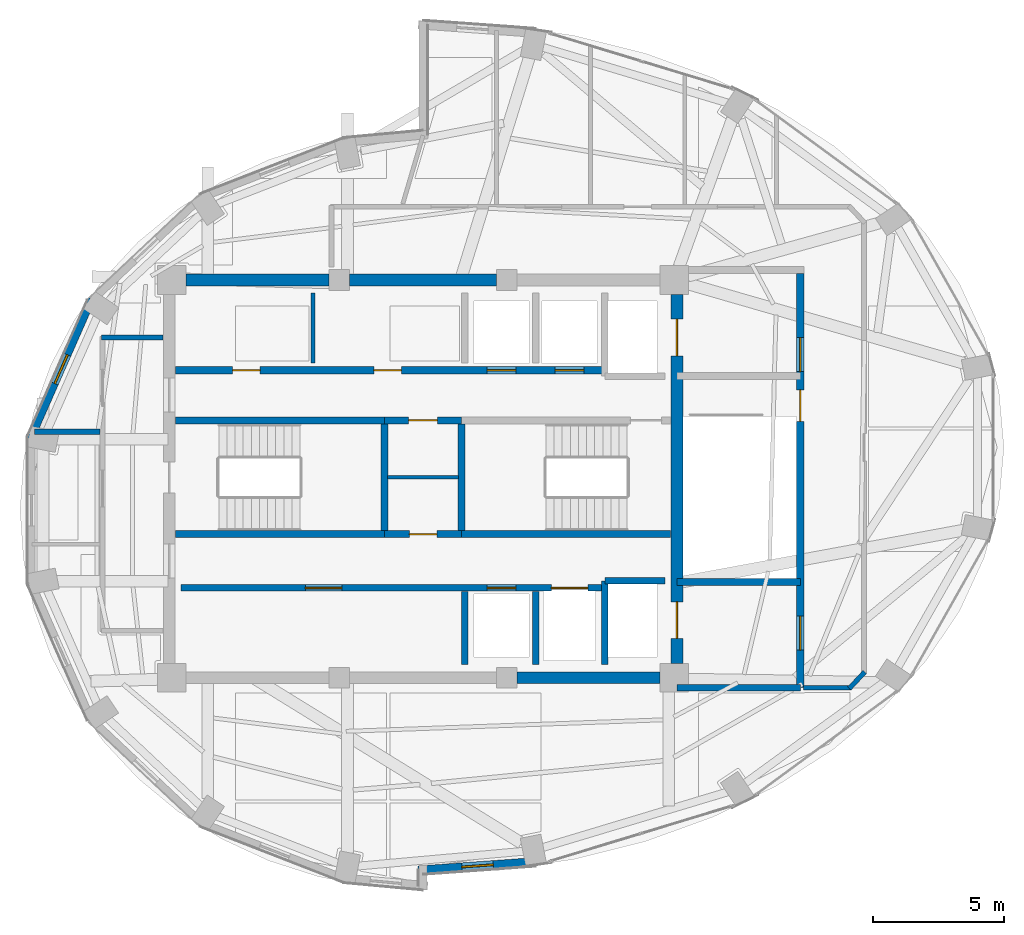
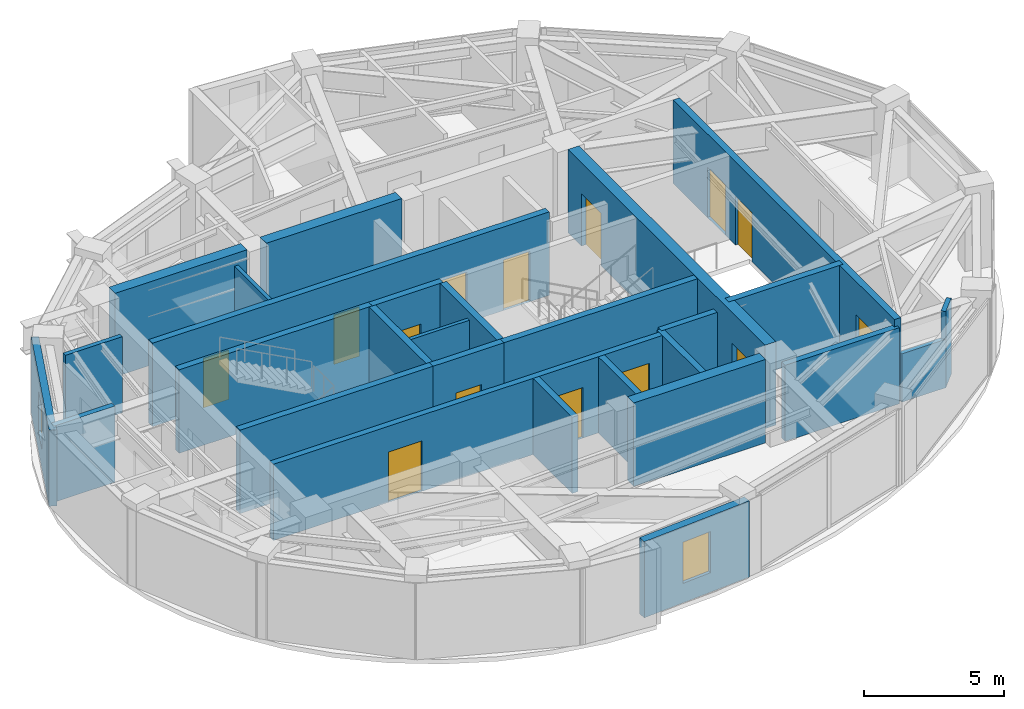
# One storey, part 10 of 13: 28 walls, 14 doors, 2 windows, 16 openings.
"""IFC4 building model written with IfcOpenShell, lengths in metres."""

from ifc_helpers import new_model, si_unit, direction, frame, frame_2d, origin, place, context, subcontext, project, spatial, rectangle, extrude, material, layer, layer_set, type_object, element, fill, save


model = new_model("IFC4")

# Units and contexts
model_context = context("Model", 3, precision=1e-05, world=origin(), true_north=direction((0.0, 1.0)))
body_context = subcontext(model_context, "Body", "Model", "MODEL_VIEW")
ifc_project = project(units=[si_unit("LENGTHUNIT", "METRE"), si_unit("AREAUNIT", "SQUARE_METRE"), si_unit("VOLUMEUNIT", "CUBIC_METRE"), si_unit("PLANEANGLEUNIT", "RADIAN"), si_unit("MASSUNIT", "GRAM", prefix="KILO")], contexts=[model_context])

# Site, building, storey
site_placement = place(None, origin())
site = spatial("IfcSite", under=ifc_project, at=site_placement, CompositionType="ELEMENT")
building_placement = place(site_placement, origin())
building = spatial("IfcBuilding", under=site, at=building_placement, Name="Lazwardi Medical Tower", CompositionType="ELEMENT")
storey_placement = place(building_placement, frame((0.0, 0.0, 298.800048828125)))
storey = spatial("IfcBuildingStorey", under=building, at=storey_placement, Name="L78", CompositionType="ELEMENT", Elevation=298.800048828125)

# Walls
ifc_material_1 = material(Name="Fire-rated gypsum board on steel stud", Category="steel")
ifc_layer_1 = layer(ifc_material_1, 0.179931640625)
ifc_layer_set_1 = layer_set([ifc_layer_1], Name="Fire-rated gypsum board on steel stud")
wall_type_1 = type_object("IfcWallType", Name="WL-COR-180", PredefinedType="PARTITIONING", material=ifc_layer_set_1)
wall_1_placement = place(storey_placement, frame((52.877197265625, 20.619140625, 0.0), z_axis=(0.0, 0.0, 1.0), x_axis=(-0.682409308253, -0.730970270264, 0.0)))
element("IfcWall", 1, at=wall_1_placement, inside=storey, type_object=wall_type_1, Name="L78 Corridor partition 5", PredefinedType="PARTITIONING", context=body_context, shape_type="SweptSolid", body=[
    extrude(rectangle(XDim=0.859619140625, YDim=0.179931640625, at=frame_2d((0.4296875, 0.0))), origin(), (0.0, 0.0, 1.0), 3.327880859375),
])
wall_2_placement = place(storey_placement, frame((52.35791015625, 20.02001953125, 0.0), z_axis=(0.0, 0.0, 1.0), x_axis=(-1.0, 0.0, 0.0)))
element("IfcWall", 2, at=wall_2_placement, inside=storey, type_object=wall_type_1, Name="L78 Corridor partition 6", PredefinedType="PARTITIONING", context=body_context, shape_type="SweptSolid", body=[
    extrude(rectangle(XDim=1.81787109375, YDim=0.179931640625, at=frame_2d((0.908935546875, 0.0))), origin(), (0.0, 0.0, 1.0), 2.113037109375),
])
wall_3_placement = place(storey_placement, frame((23.7099609375, 33.39990234375, 0.0), z_axis=(0.0, 0.0, 1.0), x_axis=(1.0, 0.0, 0.0)))
element("IfcWall", 3, at=wall_3_placement, inside=storey, type_object=wall_type_1, Name="L78 Corridor partition 9", PredefinedType="PARTITIONING", context=body_context, shape_type="SweptSolid", body=[
    extrude(rectangle(XDim=2.35009765625, YDim=0.179931640625, at=frame_2d((1.175048828125, 0.0))), origin(), (0.0, 0.0, 1.0), 3.327880859375),
])

# Wall, openings, doors
ifc_material_2 = material(Name="Concrete C60/75", Category="concrete")
ifc_layer_2 = layer(ifc_material_2, 0.449951171875)
ifc_layer_set_2 = layer_set([ifc_layer_2], Name="Concrete C60/75")
wall_type_2 = type_object("IfcWallType", Name="WL-CORE-450", PredefinedType="SHEAR", material=ifc_layer_set_2)
wall_4_placement = place(storey_placement, frame((45.699951171875, 20.949951171875, 0.0), z_axis=(0.0, 0.0, 1.0), x_axis=(0.0, 1.0, 0.0)))
wall_4 = element("IfcWall", 4, at=wall_4_placement, inside=storey, type_object=wall_type_2, Name="Core wall CW-S4 east L78", PredefinedType="SHEAR", context=body_context, shape_type="SweptSolid", body=[
    extrude(rectangle(XDim=14.10009765625, YDim=0.449951171875, at=frame_2d((7.050048828125, 0.0))), origin(), (0.0, 0.0, 1.0), 3.64794921875),
])
opening_1_placement = place(wall_4_placement, frame((11.75, 0.0, 0.0)))
opening_1 = element("IfcOpeningElement", 5, at=opening_1_placement, cuts=wall_4, Name="Opening LD-L78-001", PredefinedType="OPENING", context=body_context, shape_type="SweptSolid", body=[
    extrude(rectangle(XDim=1.39990234375, YDim=2.300048828125, at=frame_2d((0.699951171875, 1.14990234375))), frame((0.0, 0.23486328125, 0.0), z_axis=(0.0, -1.0, 0.0), x_axis=(1.0, 0.0, 0.0)), (0.0, 0.0, 1.0), 0.469970703125),
])
opening_2_placement = place(wall_4_placement, frame((0.949951171875, 0.0, 0.0)))
opening_2 = element("IfcOpeningElement", 6, at=opening_2_placement, cuts=wall_4, Name="Opening LD-L78-002", PredefinedType="OPENING", context=body_context, shape_type="SweptSolid", body=[
    extrude(rectangle(XDim=1.39990234375, YDim=2.300048828125, at=frame_2d((0.699951171875, 1.14990234375))), frame((0.0, 0.23486328125, 0.0), z_axis=(0.0, -1.0, 0.0), x_axis=(1.0, 0.0, 0.0)), (0.0, 0.0, 1.0), 0.469970703125),
])
ifc_material_3 = material(Name="Brushed stainless steel bed-lift landing door", Category="steel")
door_type_1 = type_object("IfcDoorType", Name="DR-LFT-1400", OperationType="NOTDEFINED", PredefinedType="DOOR", material=ifc_material_3)
door_1_placement = place(opening_1_placement, origin())
door_1 = element("IfcDoor", 7, at=door_1_placement, inside=storey, type_object=door_type_1, Name="L78 Lift Landing Door FL-01", OperationType="SLIDING_TO_LEFT", OverallHeight=2.300048828125, OverallWidth=1.39990234375, PredefinedType="DOOR", context=body_context, shape_type="SweptSolid", body=[
    extrude(rectangle(XDim=1.39990234375, YDim=2.300048828125, at=frame_2d((0.699951171875, 1.14990234375))), frame((0.0, 0.02490234375, 0.0), z_axis=(0.0, -1.0, 0.0), x_axis=(1.0, 0.0, 0.0)), (0.0, 0.0, 1.0), 0.050048828125),
])
fill(opening_1, door_1)
door_2_placement = place(opening_2_placement, origin())
door_2 = element("IfcDoor", 8, at=door_2_placement, inside=storey, type_object=door_type_1, Name="L78 Lift Landing Door FL-02", OperationType="SLIDING_TO_LEFT", OverallHeight=2.300048828125, OverallWidth=1.39990234375, PredefinedType="DOOR", context=body_context, shape_type="SweptSolid", body=[
    extrude(rectangle(XDim=1.39990234375, YDim=2.300048828125, at=frame_2d((0.699951171875, 1.14990234375))), frame((0.0, 0.02490234375, 0.0), z_axis=(0.0, -1.0, 0.0), x_axis=(1.0, 0.0, 0.0)), (0.0, 0.0, 1.0), 0.050048828125),
])
fill(opening_2, door_2)

# Walls
wall_5_placement = place(storey_placement, frame((26.949951171875, 35.60009765625, 0.0), z_axis=(0.0, 0.0, 1.0), x_axis=(1.0, 0.0, 0.0)))
element("IfcWall", 9, at=wall_5_placement, inside=storey, type_object=wall_type_2, Name="Core wall CW-S4 N1 L78", PredefinedType="SHEAR", context=body_context, shape_type="SweptSolid", body=[
    extrude(rectangle(XDim=5.449951171875, YDim=0.449951171875, at=frame_2d((2.72509765625, 0.0))), origin(), (0.0, 0.0, 1.0), 3.64794921875),
])
wall_6_placement = place(storey_placement, frame((33.199951171875, 35.60009765625, 0.0), z_axis=(0.0, 0.0, 1.0), x_axis=(1.0, 0.0, 0.0)))
element("IfcWall", 10, at=wall_6_placement, inside=storey, type_object=wall_type_2, Name="Core wall CW-S4 N2 L78", PredefinedType="SHEAR", context=body_context, shape_type="SweptSolid", body=[
    extrude(rectangle(XDim=5.60009765625, YDim=0.449951171875, at=frame_2d((2.800048828125, 0.0))), origin(), (0.0, 0.0, 1.0), 3.64794921875),
])
wall_7_placement = place(storey_placement, frame((39.60009765625, 20.39990234375, 0.0), z_axis=(0.0, 0.0, 1.0), x_axis=(1.0, 0.0, 0.0)))
element("IfcWall", 11, at=wall_7_placement, inside=storey, type_object=wall_type_2, Name="Core wall CW-S4 S3 L78", PredefinedType="SHEAR", context=body_context, shape_type="SweptSolid", body=[
    extrude(rectangle(XDim=5.449951171875, YDim=0.449951171875, at=frame_2d((2.72509765625, 0.0))), origin(), (0.0, 0.0, 1.0), 3.64794921875),
])

# Wall, opening, window
ifc_material_4 = material(Name="Precast concrete C45/55", Category="concrete")
ifc_layer_3 = layer(ifc_material_4, 0.280029296875)
ifc_layer_set_3 = layer_set([ifc_layer_3], Name="Precast concrete C45/55")
wall_type_3 = type_object("IfcWallType", Name="WL-DRUM-280", PredefinedType="SOLIDWALL", material=ifc_layer_set_3)
wall_8_placement = place(storey_placement, frame((23.35205078125, 34.869384765625, 0.0), z_axis=(0.0, 0.0, 1.0), x_axis=(-0.402882523888, -0.915251698685, 0.0)))
wall_8 = element("IfcWall", 12, at=wall_8_placement, inside=storey, type_object=wall_type_3, Name="L78 West Drum Precast Wall 3", PredefinedType="SOLIDWALL", context=body_context, shape_type="SweptSolid", body=[
    extrude(rectangle(XDim=5.855712890625, YDim=0.280029296875, at=frame_2d((2.927734375, 0.0))), origin(), (0.0, 0.0, 1.0), 3.327880859375),
])
opening_3_placement = place(wall_8_placement, frame((2.327880859375, 0.0, 0.85009765625)))
opening_3 = element("IfcOpeningElement", 13, at=opening_3_placement, cuts=wall_8, Name="Opening WN-04", PredefinedType="OPENING", context=body_context, shape_type="SweptSolid", body=[
    extrude(rectangle(XDim=1.199951171875, YDim=1.800048828125, at=frame_2d((0.60009765625, 0.89990234375))), frame((0.0, 0.14990234375, 0.0), z_axis=(0.0, -1.0, 0.0), x_axis=(1.0, 0.0, 0.0)), (0.0, 0.0, 1.0), 0.300048828125),
])
ifc_material_5 = material(Name="Low-e bronze solar control double glazing", Category="glass")
window_type = type_object("IfcWindowType", Name="WIN-DRUM-1200", PartitioningType="SINGLE_PANEL", PredefinedType="WINDOW", material=ifc_material_5)
window_1_placement = place(opening_3_placement, origin())
window_1 = element("IfcWindow", 14, at=window_1_placement, inside=storey, type_object=window_type, Name="L78 West Drum Window 3", OverallHeight=1.800048828125, OverallWidth=1.199951171875, PartitioningType="SINGLE_PANEL", PredefinedType="WINDOW", context=body_context, shape_type="SweptSolid", body=[
    extrude(rectangle(XDim=1.199951171875, YDim=1.800048828125, at=frame_2d((0.60009765625, 0.89990234375))), frame((0.0, 0.030029296875, 0.0), z_axis=(0.0, -1.0, 0.0), x_axis=(1.0, 0.0, 0.0)), (0.0, 0.0, 1.0), 0.06005859375),
])
fill(opening_3, window_1)

ifc_layer_4 = layer(ifc_material_4, 0.320068359375)
ifc_layer_set_4 = layer_set([ifc_layer_4], Name="Precast concrete C45/55")
wall_type_4 = type_object("IfcWallType", Name="WL-IWAN-320", PredefinedType="SOLIDWALL", material=ifc_layer_set_4)
wall_9_placement = place(storey_placement, frame((35.820556640625, 13.047119140625, 0.0), z_axis=(0.0, 0.0, 1.0), x_axis=(0.997409061056, 0.071938619141, 0.0)))
wall_9 = element("IfcWall", 15, at=wall_9_placement, inside=storey, type_object=wall_type_4, Name="L78 Iwan Portal Return Wall SE_ret", PredefinedType="SOLIDWALL", context=body_context, shape_type="SweptSolid", body=[
    extrude(rectangle(XDim=4.540771484375, YDim=0.320068359375, at=frame_2d((2.2705078125, 0.0))), origin(), (0.0, 0.0, 1.0), 3.327880859375),
])
opening_4_placement = place(wall_9_placement, frame((1.67041015625, 0.0, 0.85009765625)))
opening_4 = element("IfcOpeningElement", 16, at=opening_4_placement, cuts=wall_9, Name="Opening WN-04", PredefinedType="OPENING", context=body_context, shape_type="SweptSolid", body=[
    extrude(rectangle(XDim=1.199951171875, YDim=1.800048828125, at=frame_2d((0.60009765625, 0.89990234375))), frame((0.0, 0.169921875, 0.0), z_axis=(0.0, -1.0, 0.0), x_axis=(1.0, 0.0, 0.0)), (0.0, 0.0, 1.0), 0.340087890625),
])
window_2_placement = place(opening_4_placement, origin())
window_2 = element("IfcWindow", 17, at=window_2_placement, inside=storey, type_object=window_type, Name="L78 Iwan Slot Window SE_ret", OverallHeight=1.800048828125, OverallWidth=1.199951171875, PartitioningType="SINGLE_PANEL", PredefinedType="WINDOW", context=body_context, shape_type="SweptSolid", body=[
    extrude(rectangle(XDim=1.199951171875, YDim=1.800048828125, at=frame_2d((0.60009765625, 0.89990234375))), frame((0.0, 0.030029296875, 0.0), z_axis=(0.0, -1.0, 0.0), x_axis=(1.0, 0.0, 0.0)), (0.0, 0.0, 1.0), 0.06005859375),
])
fill(opening_4, window_2)

# Wall, openings, doors
ifc_material_6 = material(Name="Autoclaved aerated concrete blockwork", Category="masonry")
ifc_layer_5 = layer(ifc_material_6, 0.25)
ifc_layer_set_5 = layer_set([ifc_layer_5], Name="Autoclaved aerated concrete blockwork")
wall_type_5 = type_object("IfcWallType", Name="WL-SHAFT-250", PredefinedType="SOLIDWALL", material=ifc_layer_set_5)
wall_10_placement = place(storey_placement, frame((26.75, 23.830078125, 0.0), z_axis=(0.0, 0.0, 1.0), x_axis=(1.0, 0.0, 0.0)))
wall_10 = element("IfcWall", 18, at=wall_10_placement, inside=storey, type_object=wall_type_5, Name="L78 South lift bank front wall", PredefinedType="SOLIDWALL", context=body_context, shape_type="SweptSolid", body=[
    extrude(rectangle(XDim=16.199951171875, YDim=0.25, at=frame_2d((8.10009765625, 0.0))), origin(), (0.0, 0.0, 1.0), 3.327880859375),
])
opening_5_placement = place(wall_10_placement, frame((4.75, 0.0, 0.0)))
opening_5 = element("IfcOpeningElement", 19, at=opening_5_placement, cuts=wall_10, Name="Opening D-L78-005", PredefinedType="OPENING", context=body_context, shape_type="SweptSolid", body=[
    extrude(rectangle(XDim=1.39990234375, YDim=2.199951171875, at=frame_2d((0.699951171875, 1.10009765625))), frame((0.0, 0.135009765625, 0.0), z_axis=(0.0, -1.0, 0.0), x_axis=(1.0, 0.0, 0.0)), (0.0, 0.0, 1.0), 0.27001953125),
])
opening_6_placement = place(wall_10_placement, frame((11.699951171875, 0.0, 0.0)))
opening_6 = element("IfcOpeningElement", 20, at=opening_6_placement, cuts=wall_10, Name="Opening LD-L78-006", PredefinedType="OPENING", context=body_context, shape_type="SweptSolid", body=[
    extrude(rectangle(XDim=1.10009765625, YDim=2.199951171875, at=frame_2d((0.550048828125, 1.10009765625))), frame((0.0, 0.135009765625, 0.0), z_axis=(0.0, -1.0, 0.0), x_axis=(1.0, 0.0, 0.0)), (0.0, 0.0, 1.0), 0.27001953125),
])
opening_7_placement = place(wall_10_placement, frame((14.14990234375, 0.0, 0.0)))
opening_7 = element("IfcOpeningElement", 21, at=opening_7_placement, cuts=wall_10, Name="Opening LD-L78-003", PredefinedType="OPENING", context=body_context, shape_type="SweptSolid", body=[
    extrude(rectangle(XDim=1.39990234375, YDim=2.300048828125, at=frame_2d((0.699951171875, 1.14990234375))), frame((0.0, 0.135009765625, 0.0), z_axis=(0.0, -1.0, 0.0), x_axis=(1.0, 0.0, 0.0)), (0.0, 0.0, 1.0), 0.27001953125),
])
ifc_material_7 = material(Name="Anti-microbial laminate hospital leaf")
door_type_2 = type_object("IfcDoorType", Name="DR-BED-1400", OperationType="NOTDEFINED", PredefinedType="DOOR", material=ifc_material_7)
door_3_placement = place(opening_5_placement, origin())
door_3 = element("IfcDoor", 22, at=door_3_placement, inside=storey, type_object=door_type_2, Name="L78 Core Dialysis Door", OperationType="SINGLE_SWING_RIGHT", OverallHeight=2.199951171875, OverallWidth=1.39990234375, PredefinedType="DOOR", context=body_context, shape_type="SweptSolid", body=[
    extrude(rectangle(XDim=1.39990234375, YDim=2.199951171875, at=frame_2d((0.699951171875, 1.10009765625))), frame((0.0, 0.02490234375, 0.0), z_axis=(0.0, -1.0, 0.0), x_axis=(1.0, 0.0, 0.0)), (0.0, 0.0, 1.0), 0.050048828125),
])
fill(opening_5, door_3)
ifc_material_8 = material(Name="Brushed bronze stainless steel landing door", Category="steel")
door_type_3 = type_object("IfcDoorType", Name="DR-LFT-1100", OperationType="NOTDEFINED", PredefinedType="DOOR", material=ifc_material_8)
door_4_placement = place(opening_6_placement, origin())
door_4 = element("IfcDoor", 23, at=door_4_placement, inside=storey, type_object=door_type_3, Name="L78 Lift Landing Door PL-11", OperationType="SLIDING_TO_LEFT", OverallHeight=2.199951171875, OverallWidth=1.10009765625, PredefinedType="DOOR", context=body_context, shape_type="SweptSolid", body=[
    extrude(rectangle(XDim=1.10009765625, YDim=2.199951171875, at=frame_2d((0.550048828125, 1.10009765625))), frame((0.0, 0.02490234375, 0.0), z_axis=(0.0, -1.0, 0.0), x_axis=(1.0, 0.0, 0.0)), (0.0, 0.0, 1.0), 0.050048828125),
])
fill(opening_6, door_4)
door_5_placement = place(opening_7_placement, origin())
door_5 = element("IfcDoor", 24, at=door_5_placement, inside=storey, type_object=door_type_1, Name="L78 Lift Landing Door FL-03", OperationType="SLIDING_TO_LEFT", OverallHeight=2.300048828125, OverallWidth=1.39990234375, PredefinedType="DOOR", context=body_context, shape_type="SweptSolid", body=[
    extrude(rectangle(XDim=1.39990234375, YDim=2.300048828125, at=frame_2d((0.699951171875, 1.14990234375))), frame((0.0, 0.02490234375, 0.0), z_axis=(0.0, -1.0, 0.0), x_axis=(1.0, 0.0, 0.0)), (0.0, 0.0, 1.0), 0.050048828125),
])
fill(opening_7, door_5)

# Walls
wall_11_placement = place(storey_placement, frame((42.949951171875, 20.89990234375, 0.0), z_axis=(0.0, 0.0, 1.0), x_axis=(0.0, 1.0, 0.0)))
element("IfcWall", 25, at=wall_11_placement, inside=storey, type_object=wall_type_5, Name="L78 FL-02 West shaft wall", PredefinedType="SOLIDWALL", context=body_context, shape_type="SweptSolid", body=[
    extrude(rectangle(XDim=3.2001953125, YDim=0.25, at=frame_2d((1.60009765625, 0.0))), origin(), (0.0, 0.0, 1.0), 3.327880859375),
])
wall_12_placement = place(storey_placement, frame((42.949951171875, 24.10009765625, 0.0), z_axis=(0.0, 0.0, 1.0), x_axis=(1.0, 0.0, 0.0)))
element("IfcWall", 26, at=wall_12_placement, inside=storey, type_object=wall_type_5, Name="L78 FL-02 North shaft wall", PredefinedType="SOLIDWALL", context=body_context, shape_type="SweptSolid", body=[
    extrude(rectangle(XDim=2.300048828125, YDim=0.25, at=frame_2d((1.14990234375, 0.0))), origin(), (0.0, 0.0, 1.0), 3.327880859375),
])
for number, where, z_axis, x_axis, name in (
    (27, (37.60009765625, 20.89990234375, 0.0), (0.0, 0.0, 1.0), (0.0, 1.0, 0.0), "L78 South hoistway divider"),
    (28, (40.300048828125, 20.89990234375, 0.0), (0.0, 0.0, 1.0), (0.0, 1.0, 0.0), "L78 South hoistway divider"),
):
    element("IfcWall", number, at=place(storey_placement, frame(where, z_axis=z_axis, x_axis=x_axis)), inside=storey, type_object=wall_type_5, Name=name, PredefinedType="SOLIDWALL", context=body_context, shape_type="SweptSolid", body=[
        extrude(rectangle(XDim=2.800048828125, YDim=0.25, at=frame_2d((1.39990234375, 0.0))), origin(), (0.0, 0.0, 1.0), 3.327880859375),
    ])
wall_13_placement = place(storey_placement, frame((45.699951171875, 20.02001953125, 0.0), z_axis=(0.0, 0.0, 1.0), x_axis=(1.0, 0.0, 0.0)))
element("IfcWall", 29, at=wall_13_placement, inside=storey, type_object=wall_type_5, Name="L78 FFL-S South wall", PredefinedType="SOLIDWALL", context=body_context, shape_type="SweptSolid", body=[
    extrude(rectangle(XDim=4.715087890625, YDim=0.25, at=frame_2d((2.357421875, 0.0))), origin(), (0.0, 0.0, 1.0), 3.327880859375),
])
ifc_layer_6 = layer(ifc_material_1, 0.219970703125)
ifc_layer_set_6 = layer_set([ifc_layer_6], Name="Fire-rated gypsum board on steel stud")
wall_type_6 = type_object("IfcWallType", Name="WL-SMK-220", PredefinedType="PARTITIONING", material=ifc_layer_set_6)
wall_14_placement = place(storey_placement, frame((21.155517578125, 29.800048828125, 0.0), z_axis=(0.0, 0.0, 1.0), x_axis=(1.0, 0.0, 0.0)))
element("IfcWall", 30, at=wall_14_placement, inside=storey, type_object=wall_type_6, Name="L78 Room partition 2", PredefinedType="PARTITIONING", context=body_context, shape_type="SweptSolid", body=[
    extrude(rectangle(XDim=2.50439453125, YDim=0.219970703125, at=frame_2d((1.252197265625, 0.0))), origin(), (0.0, 0.0, 1.0), 3.327880859375),
])
ifc_material_9 = material(Name="Concrete C50/60", Category="concrete")
ifc_layer_7 = layer(ifc_material_9, 0.27001953125)
ifc_layer_set_7 = layer_set([ifc_layer_7], Name="Concrete C50/60")
wall_type_7 = type_object("IfcWallType", Name="WL-STR-250", PredefinedType="SHEAR", material=ifc_layer_set_7)
wall_15_placement = place(storey_placement, frame((26.550048828125, 30.235107421875, 0.0), z_axis=(0.0, 0.0, 1.0), x_axis=(1.0, 0.0, 0.0)))
element("IfcWall", 31, at=wall_15_placement, inside=storey, type_object=wall_type_7, Name="L78 ST1 North shear shaft wall SW-S1", PredefinedType="SHEAR", context=body_context, shape_type="SweptSolid", body=[
    extrude(rectangle(XDim=7.98486328125, YDim=0.27001953125, at=frame_2d((3.992431640625, 0.0))), origin(), (0.0, 0.0, 1.0), 3.64794921875),
])

# Wall, opening, door
wall_16_placement = place(storey_placement, frame((34.534912109375, 30.235107421875, 0.0), z_axis=(0.0, 0.0, 1.0), x_axis=(1.0, 0.0, 0.0)))
wall_16 = element("IfcWall", 32, at=wall_16_placement, inside=storey, type_object=wall_type_7, Name="L78 Core service North shear wall SW-S1", PredefinedType="SHEAR", context=body_context, shape_type="SweptSolid", body=[
    extrude(rectangle(XDim=2.93017578125, YDim=0.27001953125, at=frame_2d((1.465087890625, 0.0))), origin(), (0.0, 0.0, 1.0), 3.64794921875),
])
opening_8_placement = place(wall_16_placement, frame((0.9150390625, 0.0, 0.0)))
opening_8 = element("IfcOpeningElement", 33, at=opening_8_placement, cuts=wall_16, Name="Opening D-L78-002", PredefinedType="OPENING", context=body_context, shape_type="SweptSolid", body=[
    extrude(rectangle(XDim=1.10009765625, YDim=2.14990234375, at=frame_2d((0.550048828125, 1.074951171875))), frame((0.0, 0.14501953125, 0.0), z_axis=(0.0, -1.0, 0.0), x_axis=(1.0, 0.0, 0.0)), (0.0, 0.0, 1.0), 0.2900390625),
])
ifc_material_10 = material(Name="Fire-rated steel leaf and frame", Category="steel")
door_type_4 = type_object("IfcDoorType", Name="DR-PLT-1100", OperationType="NOTDEFINED", PredefinedType="DOOR", material=ifc_material_10)
door_6_placement = place(opening_8_placement, origin())
door_6 = element("IfcDoor", 34, at=door_6_placement, inside=storey, type_object=door_type_4, Name="L78 Electrical Room Door", OperationType="SINGLE_SWING_LEFT", OverallHeight=2.14990234375, OverallWidth=1.10009765625, PredefinedType="DOOR", context=body_context, shape_type="SweptSolid", body=[
    extrude(rectangle(XDim=1.10009765625, YDim=2.14990234375, at=frame_2d((0.550048828125, 1.074951171875))), frame((0.0, 0.02490234375, 0.0), z_axis=(0.0, -1.0, 0.0), x_axis=(1.0, 0.0, 0.0)), (0.0, 0.0, 1.0), 0.050048828125),
])
fill(opening_8, door_6)

# Wall
wall_17_placement = place(storey_placement, frame((26.550048828125, 25.885009765625, 0.0), z_axis=(0.0, 0.0, 1.0), x_axis=(1.0, 0.0, 0.0)))
element("IfcWall", 35, at=wall_17_placement, inside=storey, type_object=wall_type_7, Name="L78 ST1 South shear shaft wall SW-S1", PredefinedType="SHEAR", context=body_context, shape_type="SweptSolid", body=[
    extrude(rectangle(XDim=7.98486328125, YDim=0.27001953125, at=frame_2d((3.992431640625, 0.0))), origin(), (0.0, 0.0, 1.0), 3.64794921875),
])

# Wall, opening, door
wall_18_placement = place(storey_placement, frame((34.534912109375, 25.885009765625, 0.0), z_axis=(0.0, 0.0, 1.0), x_axis=(1.0, 0.0, 0.0)))
wall_18 = element("IfcWall", 36, at=wall_18_placement, inside=storey, type_object=wall_type_7, Name="L78 Core service South shear wall SW-S1", PredefinedType="SHEAR", context=body_context, shape_type="SweptSolid", body=[
    extrude(rectangle(XDim=2.93017578125, YDim=0.27001953125, at=frame_2d((1.465087890625, 0.0))), origin(), (0.0, 0.0, 1.0), 3.64794921875),
])
opening_9_placement = place(wall_18_placement, frame((0.93994140625, 0.0, 0.0)))
opening_9 = element("IfcOpeningElement", 37, at=opening_9_placement, cuts=wall_18, Name="Opening D-L78-001", PredefinedType="OPENING", context=body_context, shape_type="SweptSolid", body=[
    extrude(rectangle(XDim=1.050048828125, YDim=2.14990234375, at=frame_2d((0.52490234375, 1.074951171875))), frame((0.0, 0.14501953125, 0.0), z_axis=(0.0, -1.0, 0.0), x_axis=(1.0, 0.0, 0.0)), (0.0, 0.0, 1.0), 0.2900390625),
])
door_type_5 = type_object("IfcDoorType", Name="DR-CLN-1050", OperationType="NOTDEFINED", PredefinedType="DOOR", material=ifc_material_7)
door_7_placement = place(opening_9_placement, origin())
door_7 = element("IfcDoor", 38, at=door_7_placement, inside=storey, type_object=door_type_5, Name="L78 Dirty Sluice Door", OperationType="SINGLE_SWING_RIGHT", OverallHeight=2.14990234375, OverallWidth=1.050048828125, PredefinedType="DOOR", context=body_context, shape_type="SweptSolid", body=[
    extrude(rectangle(XDim=1.050048828125, YDim=2.14990234375, at=frame_2d((0.52490234375, 1.074951171875))), frame((0.0, 0.02490234375, 0.0), z_axis=(0.0, -1.0, 0.0), x_axis=(1.0, 0.0, 0.0)), (0.0, 0.0, 1.0), 0.050048828125),
])
fill(opening_9, door_7)

# Walls
wall_19_placement = place(storey_placement, frame((37.465087890625, 25.885009765625, 0.0), z_axis=(0.0, 0.0, 1.0), x_axis=(1.0, 0.0, 0.0)))
element("IfcWall", 39, at=wall_19_placement, inside=storey, type_object=wall_type_7, Name="L78 ST2 South shear shaft wall SW-S1", PredefinedType="SHEAR", context=body_context, shape_type="SweptSolid", body=[
    extrude(rectangle(XDim=7.98486328125, YDim=0.27001953125, at=frame_2d((3.992431640625, 0.0))), origin(), (0.0, 0.0, 1.0), 3.64794921875),
])
for number, where, z_axis, x_axis, name in (
    (40, (34.534912109375, 26.02001953125, 0.0), (0.0, 0.0, 1.0), (0.0, 1.0, 0.0), "L78 ST1 East shear shaft wall SW-S1"),
    (41, (37.465087890625, 26.02001953125, 0.0), (0.0, 0.0, 1.0), (0.0, 1.0, 0.0), "L78 ST2 West shear shaft wall SW-S1"),
):
    element("IfcWall", number, at=place(storey_placement, frame(where, z_axis=z_axis, x_axis=x_axis)), inside=storey, type_object=wall_type_7, Name=name, PredefinedType="SHEAR", context=body_context, shape_type="SweptSolid", body=[
        extrude(rectangle(XDim=4.080078125, YDim=0.27001953125, at=frame_2d((2.0400390625, 0.0))), origin(), (0.0, 0.0, 1.0), 3.64794921875),
    ])

# Wall, openings, doors
wall_20_placement = place(storey_placement, frame((26.550048828125, 32.14990234375, 0.0), z_axis=(0.0, 0.0, 1.0), x_axis=(1.0, 0.0, 0.0)))
wall_20 = element("IfcWall", 42, at=wall_20_placement, inside=storey, type_object=wall_type_7, Name="L78 North lift bank shear wall SW-S1", PredefinedType="SHEAR", context=body_context, shape_type="SweptSolid", body=[
    extrude(rectangle(XDim=16.39990234375, YDim=0.27001953125, at=frame_2d((8.199951171875, 0.0))), origin(), (0.0, 0.0, 1.0), 3.64794921875),
])
opening_10_placement = place(wall_20_placement, frame((2.175048828125, 0.0, 0.0)))
opening_10 = element("IfcOpeningElement", 43, at=opening_10_placement, cuts=wall_20, Name="Opening D-L78-003", PredefinedType="OPENING", context=body_context, shape_type="SweptSolid", body=[
    extrude(rectangle(XDim=1.050048828125, YDim=2.14990234375, at=frame_2d((0.52490234375, 1.074951171875))), frame((0.0, 0.14501953125, 0.0), z_axis=(0.0, -1.0, 0.0), x_axis=(1.0, 0.0, 0.0)), (0.0, 0.0, 1.0), 0.2900390625),
])
opening_11_placement = place(wall_20_placement, frame((7.574951171875, 0.0, 0.0)))
opening_11 = element("IfcOpeningElement", 44, at=opening_11_placement, cuts=wall_20, Name="Opening D-L78-004", PredefinedType="OPENING", context=body_context, shape_type="SweptSolid", body=[
    extrude(rectangle(XDim=1.050048828125, YDim=2.14990234375, at=frame_2d((0.52490234375, 1.074951171875))), frame((0.0, 0.14501953125, 0.0), z_axis=(0.0, -1.0, 0.0), x_axis=(1.0, 0.0, 0.0)), (0.0, 0.0, 1.0), 0.2900390625),
])
opening_12_placement = place(wall_20_placement, frame((11.89990234375, 0.0, 0.0)))
opening_12 = element("IfcOpeningElement", 45, at=opening_12_placement, cuts=wall_20, Name="Opening LD-L78-004", PredefinedType="OPENING", context=body_context, shape_type="SweptSolid", body=[
    extrude(rectangle(XDim=1.10009765625, YDim=2.199951171875, at=frame_2d((0.550048828125, 1.10009765625))), frame((0.0, 0.14501953125, 0.0), z_axis=(0.0, -1.0, 0.0), x_axis=(1.0, 0.0, 0.0)), (0.0, 0.0, 1.0), 0.2900390625),
])
opening_13_placement = place(wall_20_placement, frame((14.5, 0.0, 0.0)))
opening_13 = element("IfcOpeningElement", 46, at=opening_13_placement, cuts=wall_20, Name="Opening LD-L78-005", PredefinedType="OPENING", context=body_context, shape_type="SweptSolid", body=[
    extrude(rectangle(XDim=1.10009765625, YDim=2.199951171875, at=frame_2d((0.550048828125, 1.10009765625))), frame((0.0, 0.14501953125, 0.0), z_axis=(0.0, -1.0, 0.0), x_axis=(1.0, 0.0, 0.0)), (0.0, 0.0, 1.0), 0.2900390625),
])
door_8_placement = place(opening_10_placement, origin())
door_8 = element("IfcDoor", 47, at=door_8_placement, inside=storey, type_object=door_type_5, Name="L78 Core Consult Door", OperationType="SINGLE_SWING_RIGHT", OverallHeight=2.14990234375, OverallWidth=1.050048828125, PredefinedType="DOOR", context=body_context, shape_type="SweptSolid", body=[
    extrude(rectangle(XDim=1.050048828125, YDim=2.14990234375, at=frame_2d((0.52490234375, 1.074951171875))), frame((0.0, 0.02490234375, 0.0), z_axis=(0.0, -1.0, 0.0), x_axis=(1.0, 0.0, 0.0)), (0.0, 0.0, 1.0), 0.050048828125),
])
fill(opening_10, door_8)
door_9_placement = place(opening_11_placement, origin())
door_9 = element("IfcDoor", 48, at=door_9_placement, inside=storey, type_object=door_type_5, Name="L78 Core Pharmacy Door", OperationType="SINGLE_SWING_LEFT", OverallHeight=2.14990234375, OverallWidth=1.050048828125, PredefinedType="DOOR", context=body_context, shape_type="SweptSolid", body=[
    extrude(rectangle(XDim=1.050048828125, YDim=2.14990234375, at=frame_2d((0.52490234375, 1.074951171875))), frame((0.0, 0.02490234375, 0.0), z_axis=(0.0, -1.0, 0.0), x_axis=(1.0, 0.0, 0.0)), (0.0, 0.0, 1.0), 0.050048828125),
])
fill(opening_11, door_9)
door_10_placement = place(opening_12_placement, origin())
door_10 = element("IfcDoor", 49, at=door_10_placement, inside=storey, type_object=door_type_3, Name="L78 Lift Landing Door PL-09", OperationType="SLIDING_TO_LEFT", OverallHeight=2.199951171875, OverallWidth=1.10009765625, PredefinedType="DOOR", context=body_context, shape_type="SweptSolid", body=[
    extrude(rectangle(XDim=1.10009765625, YDim=2.199951171875, at=frame_2d((0.550048828125, 1.10009765625))), frame((0.0, 0.02490234375, 0.0), z_axis=(0.0, -1.0, 0.0), x_axis=(1.0, 0.0, 0.0)), (0.0, 0.0, 1.0), 0.050048828125),
])
fill(opening_12, door_10)
door_11_placement = place(opening_13_placement, origin())
door_11 = element("IfcDoor", 50, at=door_11_placement, inside=storey, type_object=door_type_3, Name="L78 Lift Landing Door PL-10", OperationType="SLIDING_TO_LEFT", OverallHeight=2.199951171875, OverallWidth=1.10009765625, PredefinedType="DOOR", context=body_context, shape_type="SweptSolid", body=[
    extrude(rectangle(XDim=1.10009765625, YDim=2.199951171875, at=frame_2d((0.550048828125, 1.10009765625))), frame((0.0, 0.02490234375, 0.0), z_axis=(0.0, -1.0, 0.0), x_axis=(1.0, 0.0, 0.0)), (0.0, 0.0, 1.0), 0.050048828125),
])
fill(opening_13, door_11)

wall_21_placement = place(storey_placement, frame((50.4150390625, 35.844970703125, 0.0), z_axis=(0.0, 0.0, 1.0), x_axis=(0.0, -1.0, 0.0)))
wall_21 = element("IfcWall", 51, at=wall_21_placement, inside=storey, type_object=wall_type_7, Name="L78 East ST3 & FFL shear wall SW-S1", PredefinedType="SHEAR", context=body_context, shape_type="SweptSolid", body=[
    extrude(rectangle(XDim=15.824951171875, YDim=0.27001953125, at=frame_2d((7.91259765625, 0.0))), origin(), (0.0, 0.0, 1.0), 3.64794921875),
])
opening_14_placement = place(wall_21_placement, frame((4.445068359375, 0.0, 0.0)))
opening_14 = element("IfcOpeningElement", 52, at=opening_14_placement, cuts=wall_21, Name="Opening D-L78-019", PredefinedType="OPENING", context=body_context, shape_type="SweptSolid", body=[
    extrude(rectangle(XDim=1.199951171875, YDim=2.14990234375, at=frame_2d((0.60009765625, 1.074951171875))), frame((0.0, 0.14501953125, 0.0), z_axis=(0.0, -1.0, 0.0), x_axis=(1.0, 0.0, 0.0)), (0.0, 0.0, 1.0), 0.2900390625),
])
opening_15_placement = place(wall_21_placement, frame((2.445068359375, 0.0, 0.0)))
opening_15 = element("IfcOpeningElement", 53, at=opening_15_placement, cuts=wall_21, Name="Opening D-L78-006", PredefinedType="OPENING", context=body_context, shape_type="SweptSolid", body=[
    extrude(rectangle(XDim=1.300048828125, YDim=2.199951171875, at=frame_2d((0.64990234375, 1.10009765625))), frame((0.0, 0.14501953125, 0.0), z_axis=(0.0, -1.0, 0.0), x_axis=(1.0, 0.0, 0.0)), (0.0, 0.0, 1.0), 0.2900390625),
])
opening_16_placement = place(wall_21_placement, frame((13.094970703125, 0.0, 0.0)))
opening_16 = element("IfcOpeningElement", 54, at=opening_16_placement, cuts=wall_21, Name="Opening D-L78-007", PredefinedType="OPENING", context=body_context, shape_type="SweptSolid", body=[
    extrude(rectangle(XDim=1.300048828125, YDim=2.199951171875, at=frame_2d((0.64990234375, 1.10009765625))), frame((0.0, 0.14501953125, 0.0), z_axis=(0.0, -1.0, 0.0), x_axis=(1.0, 0.0, 0.0)), (0.0, 0.0, 1.0), 0.2900390625),
])
door_type_6 = type_object("IfcDoorType", Name="DR-FFL-1300", OperationType="NOTDEFINED", PredefinedType="DOOR", material=ifc_material_10)
door_12_placement = place(opening_15_placement, origin())
door_12 = element("IfcDoor", 55, at=door_12_placement, inside=storey, type_object=door_type_6, Name="L78 Fire-Fighting Lobby North Door", OperationType="SINGLE_SWING_RIGHT", OverallHeight=2.199951171875, OverallWidth=1.300048828125, PredefinedType="DOOR", context=body_context, shape_type="SweptSolid", body=[
    extrude(rectangle(XDim=1.300048828125, YDim=2.199951171875, at=frame_2d((0.64990234375, 1.10009765625))), frame((0.0, 0.02490234375, 0.0), z_axis=(0.0, -1.0, 0.0), x_axis=(1.0, 0.0, 0.0)), (0.0, 0.0, 1.0), 0.050048828125),
])
fill(opening_15, door_12)
door_13_placement = place(opening_16_placement, origin())
door_13 = element("IfcDoor", 56, at=door_13_placement, inside=storey, type_object=door_type_6, Name="L78 Fire-Fighting Lobby South Door", OperationType="SINGLE_SWING_LEFT", OverallHeight=2.199951171875, OverallWidth=1.300048828125, PredefinedType="DOOR", context=body_context, shape_type="SweptSolid", body=[
    extrude(rectangle(XDim=1.300048828125, YDim=2.199951171875, at=frame_2d((0.64990234375, 1.10009765625))), frame((0.0, 0.02490234375, 0.0), z_axis=(0.0, -1.0, 0.0), x_axis=(1.0, 0.0, 0.0)), (0.0, 0.0, 1.0), 0.050048828125),
])
fill(opening_16, door_13)
door_type_7 = type_object("IfcDoorType", Name="DR-STR-1200", OperationType="NOTDEFINED", PredefinedType="DOOR", material=ifc_material_10)
door_14_placement = place(opening_14_placement, origin())
door_14 = element("IfcDoor", 57, at=door_14_placement, inside=storey, type_object=door_type_7, Name="L78 Exit Stair ST3 Door", OperationType="SINGLE_SWING_LEFT", OverallHeight=2.14990234375, OverallWidth=1.199951171875, PredefinedType="DOOR", context=body_context, shape_type="SweptSolid", body=[
    extrude(rectangle(XDim=1.199951171875, YDim=2.14990234375, at=frame_2d((0.60009765625, 1.074951171875))), frame((0.0, 0.02490234375, 0.0), z_axis=(0.0, -1.0, 0.0), x_axis=(1.0, 0.0, 0.0)), (0.0, 0.0, 1.0), 0.050048828125),
])
fill(opening_14, door_14)

# Walls
wall_22_placement = place(storey_placement, frame((45.699951171875, 24.06494140625, 0.0), z_axis=(0.0, 0.0, 1.0), x_axis=(1.0, 0.0, 0.0)))
element("IfcWall", 58, at=wall_22_placement, inside=storey, type_object=wall_type_7, Name="L78 ST3 South shear shaft wall SW-S1", PredefinedType="SHEAR", context=body_context, shape_type="SweptSolid", body=[
    extrude(rectangle(XDim=4.715087890625, YDim=0.27001953125, at=frame_2d((2.357421875, 0.0))), origin(), (0.0, 0.0, 1.0), 3.64794921875),
])
ifc_material_11 = material(Name="Acoustic gypsum board partition")
ifc_layer_8 = layer(ifc_material_11, 0.14990234375)
ifc_layer_set_8 = layer_set([ifc_layer_8], Name="Acoustic gypsum board partition")
wall_type_8 = type_object("IfcWallType", Name="WL-WRD-150", PredefinedType="PARTITIONING", material=ifc_layer_set_8)
wall_23_placement = place(storey_placement, frame((34.64990234375, 28.06005859375, 0.0), z_axis=(0.0, 0.0, 1.0), x_axis=(1.0, 0.0, 0.0)))
element("IfcWall", 59, at=wall_23_placement, inside=storey, type_object=wall_type_8, Name="L78 Core service divider", PredefinedType="PARTITIONING", context=body_context, shape_type="SweptSolid", body=[
    extrude(rectangle(XDim=2.7001953125, YDim=0.14990234375, at=frame_2d((1.35009765625, 0.0))), origin(), (0.0, 0.0, 1.0), 3.327880859375),
])
wall_24_placement = place(storey_placement, frame((31.800048828125, 32.419921875, 0.0), z_axis=(0.0, 0.0, 1.0), x_axis=(0.0, 1.0, 0.0)))
element("IfcWall", 60, at=wall_24_placement, inside=storey, type_object=wall_type_8, Name="L78 Freed bay2 N split", PredefinedType="PARTITIONING", context=body_context, shape_type="SweptSolid", body=[
    extrude(rectangle(XDim=2.68017578125, YDim=0.14990234375, at=frame_2d((1.340087890625, 0.0))), origin(), (0.0, 0.0, 1.0), 3.327880859375),
])

save(model, "model.ifc")
